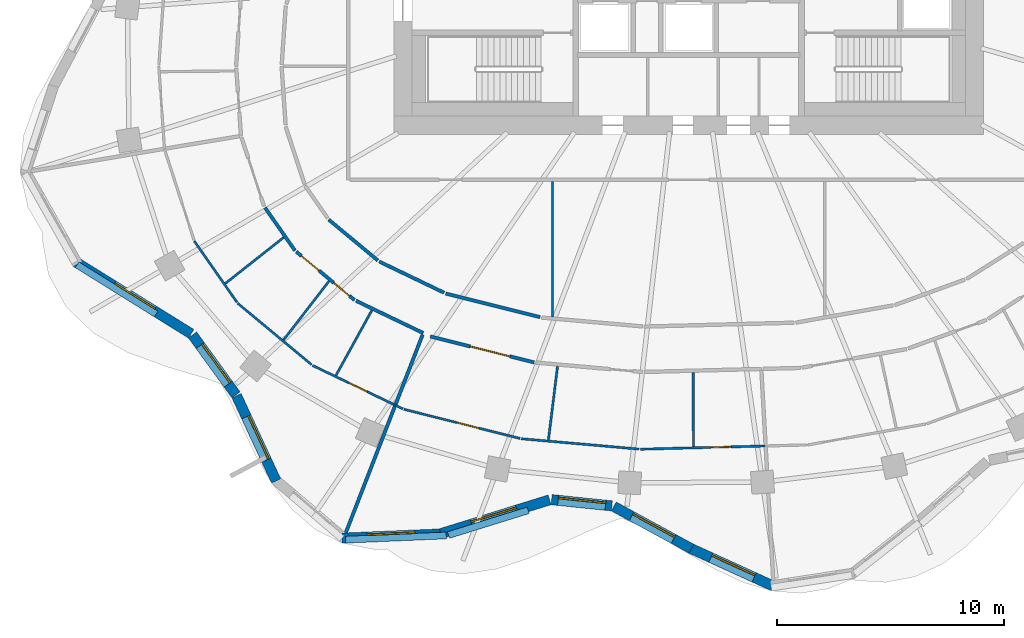
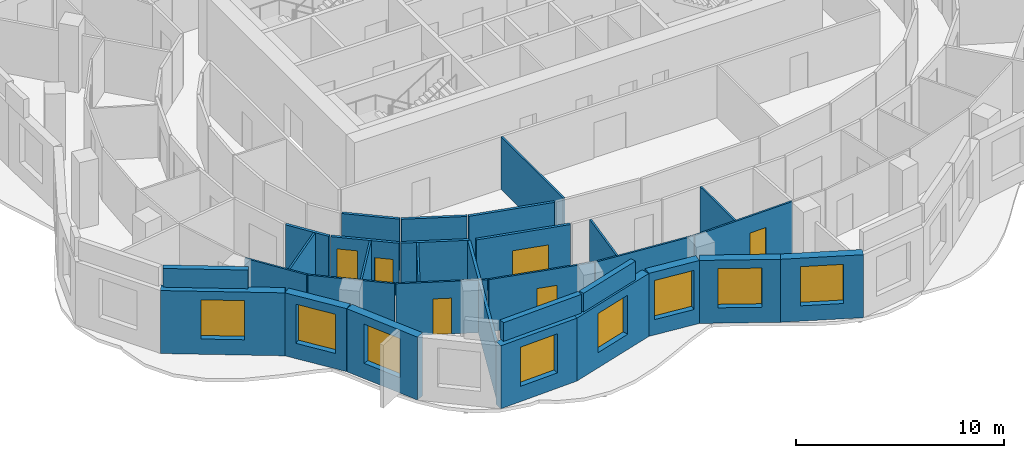
# One storey, part 3 of 12: 32 walls, 8 windows, 6 doors, 14 openings.
"""IFC4 building model written with IfcOpenShell, lengths in metres."""

from ifc_helpers import new_model, si_unit, direction, frame, frame_2d, origin, place, context, subcontext, project, spatial, rectangle, extrude, material, layer, layer_set, type_object, element, fill, save


model = new_model("IFC4")

# Units and contexts
model_context = context("Model", 3, precision=1e-05, world=origin(), true_north=direction((0.0, 1.0)))
body_context = subcontext(model_context, "Body", "Model", "MODEL_VIEW")
ifc_project = project(units=[si_unit("LENGTHUNIT", "METRE"), si_unit("AREAUNIT", "SQUARE_METRE"), si_unit("VOLUMEUNIT", "CUBIC_METRE"), si_unit("PLANEANGLEUNIT", "RADIAN"), si_unit("MASSUNIT", "GRAM", prefix="KILO")], contexts=[model_context])

# Site, building, storey
site_placement = place(None, origin())
site = spatial("IfcSite", under=ifc_project, at=site_placement, CompositionType="ELEMENT")
building_placement = place(site_placement, origin())
building = spatial("IfcBuilding", under=site, at=building_placement, Name="Rubra Terraces Tower", CompositionType="ELEMENT")
storey_placement = place(building_placement, frame((0.0, 0.0, 201.300048828125)))
storey = spatial("IfcBuildingStorey", under=building, at=storey_placement, Name="L49", CompositionType="ELEMENT", Elevation=201.300048828125)

# Wall, opening, window
ifc_material_1 = material(Name="Brick masonry red-brown", Category="masonry")
ifc_layer_1 = layer(ifc_material_1, 0.449951171875)
ifc_layer_set_1 = layer_set([ifc_layer_1], Name="Brick masonry red-brown")
wall_type_1 = type_object("IfcWallType", Name="Brick facade wall 450", PredefinedType="SOLIDWALL", material=ifc_layer_set_1)
wall_1_placement = place(storey_placement, frame((-27.01611328125, -8.6259765625, 0.0), z_axis=(0.0, 0.0, 1.0), x_axis=(0.849198377377, -0.528073968172, 0.0)))
wall_1 = element("IfcWall", 1, at=wall_1_placement, inside=storey, type_object=wall_type_1, Name="Facade wall L49 bay 23", PredefinedType="SOLIDWALL", context=body_context, shape_type="SweptSolid", body=[
    extrude(rectangle(XDim=5.989501953125, YDim=0.449951171875, at=frame_2d((2.99462890625, 0.0))), origin(), (0.0, 0.0, 1.0), 3.699951171875),
])
opening_1_placement = place(wall_1_placement, frame((1.944580078125, 0.0, 0.89990234375)))
opening_1 = element("IfcOpeningElement", 2, at=opening_1_placement, cuts=wall_1, Name="Opening W1B", PredefinedType="OPENING", context=body_context, shape_type="SweptSolid", body=[
    extrude(rectangle(XDim=2.10009765625, YDim=2.300048828125, at=frame_2d((1.050048828125, 1.14990234375))), frame((0.0, 0.23486328125, 0.0), z_axis=(0.0, -1.0, 0.0), x_axis=(1.0, 0.0, 0.0)), (0.0, 0.0, 1.0), 0.469970703125),
])
ifc_material_2 = material(Name="Clear glass in aluminium frame", Category="aluminium")
window_type = type_object("IfcWindowType", Name="Fixed deep-set window tall storey 2100 x 2300", PartitioningType="SINGLE_PANEL", PredefinedType="WINDOW", material=ifc_material_2)
window_1_placement = place(opening_1_placement, origin())
window_1 = element("IfcWindow", 3, at=window_1_placement, inside=storey, type_object=window_type, Name="Window L49 bay 23", OverallHeight=2.300048828125, OverallWidth=2.10009765625, PartitioningType="SINGLE_PANEL", PredefinedType="WINDOW", context=body_context, shape_type="SweptSolid", body=[
    extrude(rectangle(XDim=2.10009765625, YDim=2.300048828125, at=frame_2d((1.050048828125, 1.14990234375))), frame((0.0, 0.135009765625, 0.0), z_axis=(0.0, -1.0, 0.0), x_axis=(1.0, 0.0, 0.0)), (0.0, 0.0, 1.0), 0.06005859375),
])
fill(opening_1, window_1)

wall_2_placement = place(storey_placement, frame((-21.872314453125, -11.840576171875, 0.0), z_axis=(0.0, 0.0, 1.0), x_axis=(0.587562050363, -0.809179113036, 0.0)))
wall_2 = element("IfcWall", 4, at=wall_2_placement, inside=storey, type_object=wall_type_1, Name="Facade wall L49 bay 24", PredefinedType="SOLIDWALL", context=body_context, shape_type="SweptSolid", body=[
    extrude(rectangle(XDim=3.262939453125, YDim=0.449951171875, at=frame_2d((1.63134765625, 0.0))), origin(), (0.0, 0.0, 1.0), 3.699951171875),
])
opening_2_placement = place(wall_2_placement, frame((0.58154296875, 0.0, 0.89990234375)))
opening_2 = element("IfcOpeningElement", 5, at=opening_2_placement, cuts=wall_2, Name="Opening W1B", PredefinedType="OPENING", context=body_context, shape_type="SweptSolid", body=[
    extrude(rectangle(XDim=2.10009765625, YDim=2.300048828125, at=frame_2d((1.050048828125, 1.14990234375))), frame((0.0, 0.23486328125, 0.0), z_axis=(0.0, -1.0, 0.0), x_axis=(1.0, 0.0, 0.0)), (0.0, 0.0, 1.0), 0.469970703125),
])
window_2_placement = place(opening_2_placement, origin())
window_2 = element("IfcWindow", 6, at=window_2_placement, inside=storey, type_object=window_type, Name="Window L49 bay 24", OverallHeight=2.300048828125, OverallWidth=2.10009765625, PartitioningType="SINGLE_PANEL", PredefinedType="WINDOW", context=body_context, shape_type="SweptSolid", body=[
    extrude(rectangle(XDim=2.10009765625, YDim=2.300048828125, at=frame_2d((1.050048828125, 1.14990234375))), frame((0.0, 0.135009765625, 0.0), z_axis=(0.0, -1.0, 0.0), x_axis=(1.0, 0.0, 0.0)), (0.0, 0.0, 1.0), 0.06005859375),
])
fill(opening_2, window_2)

wall_3_placement = place(storey_placement, frame((-19.9306640625, -14.519287109375, 0.0), z_axis=(0.0, 0.0, 1.0), x_axis=(0.421138964136, -0.906996126169, 0.0)))
wall_3 = element("IfcWall", 7, at=wall_3_placement, inside=storey, type_object=wall_type_1, Name="Facade wall L49 bay 25", PredefinedType="SOLIDWALL", context=body_context, shape_type="SweptSolid", body=[
    extrude(rectangle(XDim=4.149658203125, YDim=0.449951171875, at=frame_2d((2.07470703125, 0.0))), origin(), (0.0, 0.0, 1.0), 3.699951171875),
])
opening_3_placement = place(wall_3_placement, frame((1.02490234375, 0.0, 0.89990234375)))
opening_3 = element("IfcOpeningElement", 8, at=opening_3_placement, cuts=wall_3, Name="Opening W1B", PredefinedType="OPENING", context=body_context, shape_type="SweptSolid", body=[
    extrude(rectangle(XDim=2.10009765625, YDim=2.300048828125, at=frame_2d((1.050048828125, 1.14990234375))), frame((0.0, 0.23486328125, 0.0), z_axis=(0.0, -1.0, 0.0), x_axis=(1.0, 0.0, 0.0)), (0.0, 0.0, 1.0), 0.469970703125),
])
window_3_placement = place(opening_3_placement, origin())
window_3 = element("IfcWindow", 9, at=window_3_placement, inside=storey, type_object=window_type, Name="Window L49 bay 25", OverallHeight=2.300048828125, OverallWidth=2.10009765625, PartitioningType="SINGLE_PANEL", PredefinedType="WINDOW", context=body_context, shape_type="SweptSolid", body=[
    extrude(rectangle(XDim=2.10009765625, YDim=2.300048828125, at=frame_2d((1.050048828125, 1.14990234375))), frame((0.0, 0.135009765625, 0.0), z_axis=(0.0, -1.0, 0.0), x_axis=(1.0, 0.0, 0.0)), (0.0, 0.0, 1.0), 0.06005859375),
])
fill(opening_3, window_3)

wall_4_placement = place(storey_placement, frame((-15.283447265625, -20.798095703125, 0.0), z_axis=(0.0, 0.0, 1.0), x_axis=(0.999108814386, 0.042208731526, 0.0)))
wall_4 = element("IfcWall", 10, at=wall_4_placement, inside=storey, type_object=wall_type_1, Name="Facade wall L49 bay 27", PredefinedType="SOLIDWALL", context=body_context, shape_type="SweptSolid", body=[
    extrude(rectangle(XDim=4.338134765625, YDim=0.449951171875, at=frame_2d((2.1689453125, 0.0))), origin(), (0.0, 0.0, 1.0), 3.699951171875),
])
opening_4_placement = place(wall_4_placement, frame((1.119140625, 0.0, 0.89990234375)))
opening_4 = element("IfcOpeningElement", 11, at=opening_4_placement, cuts=wall_4, Name="Opening W1B", PredefinedType="OPENING", context=body_context, shape_type="SweptSolid", body=[
    extrude(rectangle(XDim=2.10009765625, YDim=2.300048828125, at=frame_2d((1.050048828125, 1.14990234375))), frame((0.0, 0.23486328125, 0.0), z_axis=(0.0, -1.0, 0.0), x_axis=(1.0, 0.0, 0.0)), (0.0, 0.0, 1.0), 0.469970703125),
])
window_4_placement = place(opening_4_placement, origin())
window_4 = element("IfcWindow", 12, at=window_4_placement, inside=storey, type_object=window_type, Name="Window L49 bay 27", OverallHeight=2.300048828125, OverallWidth=2.10009765625, PartitioningType="SINGLE_PANEL", PredefinedType="WINDOW", context=body_context, shape_type="SweptSolid", body=[
    extrude(rectangle(XDim=2.10009765625, YDim=2.300048828125, at=frame_2d((1.050048828125, 1.14990234375))), frame((0.0, 0.135009765625, 0.0), z_axis=(0.0, -1.0, 0.0), x_axis=(1.0, 0.0, 0.0)), (0.0, 0.0, 1.0), 0.06005859375),
])
fill(opening_4, window_4)

wall_5_placement = place(storey_placement, frame((-11.006591796875, -20.625, 0.0), z_axis=(0.0, 0.0, 1.0), x_axis=(0.954949254112, 0.296769139352, 0.0)))
wall_5 = element("IfcWall", 13, at=wall_5_placement, inside=storey, type_object=wall_type_1, Name="Facade wall L49 bay 28", PredefinedType="SOLIDWALL", context=body_context, shape_type="SweptSolid", body=[
    extrude(rectangle(XDim=5.106201171875, YDim=0.449951171875, at=frame_2d((2.55322265625, 0.0))), origin(), (0.0, 0.0, 1.0), 3.699951171875),
])
opening_5_placement = place(wall_5_placement, frame((1.503173828125, 0.0, 0.89990234375)))
opening_5 = element("IfcOpeningElement", 14, at=opening_5_placement, cuts=wall_5, Name="Opening W1B", PredefinedType="OPENING", context=body_context, shape_type="SweptSolid", body=[
    extrude(rectangle(XDim=2.10009765625, YDim=2.300048828125, at=frame_2d((1.050048828125, 1.14990234375))), frame((0.0, 0.23486328125, 0.0), z_axis=(0.0, -1.0, 0.0), x_axis=(1.0, 0.0, 0.0)), (0.0, 0.0, 1.0), 0.469970703125),
])
window_5_placement = place(opening_5_placement, origin())
window_5 = element("IfcWindow", 15, at=window_5_placement, inside=storey, type_object=window_type, Name="Window L49 bay 28", OverallHeight=2.300048828125, OverallWidth=2.10009765625, PartitioningType="SINGLE_PANEL", PredefinedType="WINDOW", context=body_context, shape_type="SweptSolid", body=[
    extrude(rectangle(XDim=2.10009765625, YDim=2.300048828125, at=frame_2d((1.050048828125, 1.14990234375))), frame((0.0, 0.135009765625, 0.0), z_axis=(0.0, -1.0, 0.0), x_axis=(1.0, 0.0, 0.0)), (0.0, 0.0, 1.0), 0.06005859375),
])
fill(opening_5, window_5)

wall_6_placement = place(storey_placement, frame((-6.040283203125, -19.1005859375, 0.0), z_axis=(0.0, 0.0, 1.0), x_axis=(0.994675968472, -0.103052014752, 0.0)))
wall_6 = element("IfcWall", 16, at=wall_6_placement, inside=storey, type_object=wall_type_1, Name="Facade wall L49 bay 29", PredefinedType="SOLIDWALL", context=body_context, shape_type="SweptSolid", body=[
    extrude(rectangle(XDim=2.669921875, YDim=0.449951171875, at=frame_2d((1.3349609375, 0.0))), origin(), (0.0, 0.0, 1.0), 3.699951171875),
])
opening_6_placement = place(wall_6_placement, frame((0.284912109375, 0.0, 0.89990234375)))
opening_6 = element("IfcOpeningElement", 17, at=opening_6_placement, cuts=wall_6, Name="Opening W1B", PredefinedType="OPENING", context=body_context, shape_type="SweptSolid", body=[
    extrude(rectangle(XDim=2.10009765625, YDim=2.300048828125, at=frame_2d((1.050048828125, 1.14990234375))), frame((0.0, 0.23486328125, 0.0), z_axis=(0.0, -1.0, 0.0), x_axis=(1.0, 0.0, 0.0)), (0.0, 0.0, 1.0), 0.469970703125),
])
window_6_placement = place(opening_6_placement, origin())
window_6 = element("IfcWindow", 18, at=window_6_placement, inside=storey, type_object=window_type, Name="Window L49 bay 29", OverallHeight=2.300048828125, OverallWidth=2.10009765625, PartitioningType="SINGLE_PANEL", PredefinedType="WINDOW", context=body_context, shape_type="SweptSolid", body=[
    extrude(rectangle(XDim=2.10009765625, YDim=2.300048828125, at=frame_2d((1.050048828125, 1.14990234375))), frame((0.0, 0.135009765625, 0.0), z_axis=(0.0, -1.0, 0.0), x_axis=(1.0, 0.0, 0.0)), (0.0, 0.0, 1.0), 0.06005859375),
])
fill(opening_6, window_6)

wall_7_placement = place(storey_placement, frame((-3.302001953125, -19.40087890625, 0.0), z_axis=(0.0, 0.0, 1.0), x_axis=(0.878060540763, -0.47854956562, 0.0)))
wall_7 = element("IfcWall", 19, at=wall_7_placement, inside=storey, type_object=wall_type_1, Name="Facade wall L49 bay 30", PredefinedType="SOLIDWALL", context=body_context, shape_type="SweptSolid", body=[
    extrude(rectangle(XDim=3.9013671875, YDim=0.449951171875, at=frame_2d((1.95068359375, 0.0))), origin(), (0.0, 0.0, 1.0), 3.699951171875),
])
opening_7_placement = place(wall_7_placement, frame((0.900634765625, 0.0, 0.89990234375)))
opening_7 = element("IfcOpeningElement", 20, at=opening_7_placement, cuts=wall_7, Name="Opening W1B", PredefinedType="OPENING", context=body_context, shape_type="SweptSolid", body=[
    extrude(rectangle(XDim=2.10009765625, YDim=2.300048828125, at=frame_2d((1.050048828125, 1.14990234375))), frame((0.0, 0.23486328125, 0.0), z_axis=(0.0, -1.0, 0.0), x_axis=(1.0, 0.0, 0.0)), (0.0, 0.0, 1.0), 0.469970703125),
])
window_7_placement = place(opening_7_placement, origin())
window_7 = element("IfcWindow", 21, at=window_7_placement, inside=storey, type_object=window_type, Name="Window L49 bay 30", OverallHeight=2.300048828125, OverallWidth=2.10009765625, PartitioningType="SINGLE_PANEL", PredefinedType="WINDOW", context=body_context, shape_type="SweptSolid", body=[
    extrude(rectangle(XDim=2.10009765625, YDim=2.300048828125, at=frame_2d((1.050048828125, 1.14990234375))), frame((0.0, 0.135009765625, 0.0), z_axis=(0.0, -1.0, 0.0), x_axis=(1.0, 0.0, 0.0)), (0.0, 0.0, 1.0), 0.06005859375),
])
fill(opening_7, window_7)

wall_8_placement = place(storey_placement, frame((0.109130859375, -21.260986328125, 0.0), z_axis=(0.0, 0.0, 1.0), x_axis=(0.910040573706, -0.414519184367, 0.0)))
wall_8 = element("IfcWall", 22, at=wall_8_placement, inside=storey, type_object=wall_type_1, Name="Facade wall L49 bay 31", PredefinedType="SOLIDWALL", context=body_context, shape_type="SweptSolid", body=[
    extrude(rectangle(XDim=4.005615234375, YDim=0.449951171875, at=frame_2d((2.0029296875, 0.0))), origin(), (0.0, 0.0, 1.0), 3.699951171875),
])
opening_8_placement = place(wall_8_placement, frame((0.952880859375, 0.0, 0.89990234375)))
opening_8 = element("IfcOpeningElement", 23, at=opening_8_placement, cuts=wall_8, Name="Opening W1B", PredefinedType="OPENING", context=body_context, shape_type="SweptSolid", body=[
    extrude(rectangle(XDim=2.10009765625, YDim=2.300048828125, at=frame_2d((1.050048828125, 1.14990234375))), frame((0.0, 0.23486328125, 0.0), z_axis=(0.0, -1.0, 0.0), x_axis=(1.0, 0.0, 0.0)), (0.0, 0.0, 1.0), 0.469970703125),
])
window_8_placement = place(opening_8_placement, origin())
window_8 = element("IfcWindow", 24, at=window_8_placement, inside=storey, type_object=window_type, Name="Window L49 bay 31", OverallHeight=2.300048828125, OverallWidth=2.10009765625, PartitioningType="SINGLE_PANEL", PredefinedType="WINDOW", context=body_context, shape_type="SweptSolid", body=[
    extrude(rectangle(XDim=2.10009765625, YDim=2.300048828125, at=frame_2d((1.050048828125, 1.14990234375))), frame((0.0, 0.135009765625, 0.0), z_axis=(0.0, -1.0, 0.0), x_axis=(1.0, 0.0, 0.0)), (0.0, 0.0, 1.0), 0.06005859375),
])
fill(opening_8, window_8)

# Walls
ifc_layer_2 = layer(ifc_material_1, 0.300048828125)
ifc_layer_set_2 = layer_set([ifc_layer_2], Name="Brick masonry red-brown")
wall_type_2 = type_object("IfcWallType", Name="Brick parapet 300", PredefinedType="PARAPET", material=ifc_layer_set_2)
wall_9_placement = place(storey_placement, frame((-26.965087890625, -8.74609375, 3.89990234375), z_axis=(0.0, 0.0, 1.0), x_axis=(0.849203312007, -0.528066032686, 0.0)))
element("IfcWall", 25, at=wall_9_placement, inside=storey, type_object=wall_type_2, Name="Parapet L49 bay 23", PredefinedType="PARAPET", context=body_context, shape_type="SweptSolid", body=[
    extrude(rectangle(XDim=4.11279296875, YDim=0.300048828125, at=frame_2d((2.056396484375, 0.0))), origin(), (0.0, 0.0, 1.0), 1.10009765625),
])
wall_10_placement = place(storey_placement, frame((-15.133056640625, -20.866943359375, 3.89990234375), z_axis=(0.0, 0.0, 1.0), x_axis=(0.999109914186, 0.042182690458, 0.0)))
element("IfcWall", 26, at=wall_10_placement, inside=storey, type_object=wall_type_2, Name="Parapet L49 bay 27", PredefinedType="PARAPET", context=body_context, shape_type="SweptSolid", body=[
    extrude(rectangle(XDim=4.45068359375, YDim=0.300048828125, at=frame_2d((2.225341796875, 0.0))), origin(), (0.0, 0.0, 1.0), 1.10009765625),
])
wall_11_placement = place(storey_placement, frame((-10.589599609375, -20.662353515625, 3.89990234375), z_axis=(0.0, 0.0, 1.0), x_axis=(0.954933257017, 0.296820610207, 0.0)))
element("IfcWall", 27, at=wall_11_placement, inside=storey, type_object=wall_type_2, Name="Parapet L49 bay 28", PredefinedType="PARAPET", context=body_context, shape_type="SweptSolid", body=[
    extrude(rectangle(XDim=3.6806640625, YDim=0.300048828125, at=frame_2d((1.84033203125, 0.0))), origin(), (0.0, 0.0, 1.0), 1.10009765625),
])
ifc_material_3 = material(Name="Plasterboard on steel stud, mineral wool infill", Category="steel")
ifc_layer_3 = layer(ifc_material_3, 0.14990234375)
ifc_layer_set_3 = layer_set([ifc_layer_3], Name="Plasterboard on steel stud, mineral wool infill")
wall_type_3 = type_object("IfcWallType", Name="CORRIDOR PARTITION 150", PredefinedType="PARTITIONING", material=ifc_layer_set_3)
wall_12_placement = place(storey_placement, frame((-18.673828125, -6.231689453125, 0.0), z_axis=(0.0, 0.0, 1.0), x_axis=(0.572118665737, -0.820170855563, 0.0)))
element("IfcWall", 28, at=wall_12_placement, inside=storey, type_object=wall_type_3, Name="PARTITION", PredefinedType="PARTITIONING", context=body_context, shape_type="SweptSolid", body=[
    extrude(rectangle(XDim=2.30615234375, YDim=0.14990234375, at=frame_2d((1.153076171875, 0.0))), origin(), (0.0, 0.0, 1.0), 3.083984375),
])

# Wall, openings, doors
wall_13_placement = place(storey_placement, frame((-17.296875, -8.1708984375, 0.0), z_axis=(0.0, 0.0, 1.0), x_axis=(0.769228575061, -0.638973707839, 0.0)))
wall_13 = element("IfcWall", 29, at=wall_13_placement, inside=storey, type_object=wall_type_3, Name="PARTITION", PredefinedType="PARTITIONING", context=body_context, shape_type="SweptSolid", body=[
    extrude(rectangle(XDim=3.33447265625, YDim=0.14990234375, at=frame_2d((1.667236328125, 0.0))), origin(), (0.0, 0.0, 1.0), 3.083984375),
])
opening_9_placement = place(wall_13_placement, frame((0.300048828125, 0.0, 0.0)))
opening_9 = element("IfcOpeningElement", 30, at=opening_9_placement, cuts=wall_13, Name="Opening 49-118", PredefinedType="OPENING", context=body_context, shape_type="SweptSolid", body=[
    extrude(rectangle(XDim=1.0, YDim=2.39990234375, at=frame_2d((0.5, 1.199951171875))), frame((0.0, 0.0849609375, 0.0), z_axis=(0.0, -1.0, 0.0), x_axis=(1.0, 0.0, 0.0)), (0.0, 0.0, 1.0), 0.169921875),
])
opening_10_placement = place(wall_13_placement, frame((2.14990234375, 0.0, 0.0)))
opening_10 = element("IfcOpeningElement", 31, at=opening_10_placement, cuts=wall_13, Name="Opening 49-145", PredefinedType="OPENING", context=body_context, shape_type="SweptSolid", body=[
    extrude(rectangle(XDim=0.89990234375, YDim=2.10009765625, at=frame_2d((0.449951171875, 1.050048828125))), frame((0.0, 0.0849609375, 0.0), z_axis=(0.0, -1.0, 0.0), x_axis=(1.0, 0.0, 0.0)), (0.0, 0.0, 1.0), 0.169921875),
])
ifc_material_4 = material(Name="Painted timber door leaf", Category="wood")
door_type_1 = type_object("IfcDoorType", Name="BATHROOM DOOR 900 X 2100", OperationType="SINGLE_SWING_LEFT", PredefinedType="DOOR", material=ifc_material_4)
door_1_placement = place(opening_10_placement, origin())
door_1 = element("IfcDoor", 32, at=door_1_placement, inside=storey, type_object=door_type_1, Name="DOOR 49-145", OperationType="SINGLE_SWING_RIGHT", OverallHeight=2.10009765625, OverallWidth=0.89990234375, PredefinedType="DOOR", context=body_context, shape_type="SweptSolid", body=[
    extrude(rectangle(XDim=0.89990234375, YDim=2.10009765625, at=frame_2d((0.449951171875, 1.050048828125))), frame((0.0, 0.02490234375, 0.0), z_axis=(0.0, -1.0, 0.0), x_axis=(1.0, 0.0, 0.0)), (0.0, 0.0, 1.0), 0.050048828125),
])
fill(opening_10, door_1)
ifc_material_5 = material(Name="Glazed aluminium meeting door leaf", Category="aluminium")
door_type_2 = type_object("IfcDoorType", Name="MEETING ROOM GLAZED DOOR 1000 X 2400", OperationType="SINGLE_SWING_LEFT", PredefinedType="DOOR", material=ifc_material_5)
door_2_placement = place(opening_9_placement, origin())
door_2 = element("IfcDoor", 33, at=door_2_placement, inside=storey, type_object=door_type_2, Name="DOOR 49-118", OperationType="SINGLE_SWING_RIGHT", OverallHeight=2.39990234375, OverallWidth=1.0, PredefinedType="DOOR", context=body_context, shape_type="SweptSolid", body=[
    extrude(rectangle(XDim=1.0, YDim=2.39990234375, at=frame_2d((0.5, 1.199951171875))), frame((0.0, 0.02490234375, 0.0), z_axis=(0.0, -1.0, 0.0), x_axis=(1.0, 0.0, 0.0)), (0.0, 0.0, 1.0), 0.050048828125),
])
fill(opening_9, door_2)

# Wall
wall_14_placement = place(storey_placement, frame((-14.664306640625, -10.333984375, 0.0), z_axis=(0.0, 0.0, 1.0), x_axis=(0.901511473943, -0.432755199101, 0.0)))
element("IfcWall", 34, at=wall_14_placement, inside=storey, type_object=wall_type_3, Name="PARTITION", PredefinedType="PARTITIONING", context=body_context, shape_type="SweptSolid", body=[
    extrude(rectangle(XDim=3.2890625, YDim=0.14990234375, at=frame_2d((1.64453125, 0.0))), origin(), (0.0, 0.0, 1.0), 3.083984375),
])

# Wall, opening, door
wall_15_placement = place(storey_placement, frame((-11.3916015625, -11.905029296875, 0.0), z_axis=(0.0, 0.0, 1.0), x_axis=(0.970002383823, -0.243095403859, 0.0)))
wall_15 = element("IfcWall", 35, at=wall_15_placement, inside=storey, type_object=wall_type_3, Name="PARTITION", PredefinedType="PARTITIONING", context=body_context, shape_type="SweptSolid", body=[
    extrude(rectangle(XDim=4.72021484375, YDim=0.14990234375, at=frame_2d((2.360107421875, 0.0))), origin(), (0.0, 0.0, 1.0), 3.083984375),
])
opening_11_placement = place(wall_15_placement, frame((1.81201171875, 0.0, 0.0)))
opening_11 = element("IfcOpeningElement", 36, at=opening_11_placement, cuts=wall_15, Name="Opening 49-120", PredefinedType="OPENING", context=body_context, shape_type="SweptSolid", body=[
    extrude(rectangle(XDim=1.800048828125, YDim=2.10009765625, at=frame_2d((0.89990234375, 1.050048828125))), frame((0.0, 0.0849609375, 0.0), z_axis=(0.0, -1.0, 0.0), x_axis=(1.0, 0.0, 0.0)), (0.0, 0.0, 1.0), 0.169921875),
])
ifc_material_6 = material(Name="Painted timber door leaf, double", Category="wood")
door_type_3 = type_object("IfcDoorType", Name="ROOM DOUBLE DOOR 1800 X 2100", OperationType="DOUBLE_DOOR_SINGLE_SWING", PredefinedType="DOOR", material=ifc_material_6)
door_3_placement = place(opening_11_placement, origin())
door_3 = element("IfcDoor", 37, at=door_3_placement, inside=storey, type_object=door_type_3, Name="DOOR 49-120", OperationType="DOUBLE_DOOR_SINGLE_SWING", OverallHeight=2.10009765625, OverallWidth=1.800048828125, PredefinedType="DOOR", context=body_context, shape_type="SweptSolid", body=[
    extrude(rectangle(XDim=1.800048828125, YDim=2.10009765625, at=frame_2d((0.89990234375, 1.050048828125))), frame((0.0, 0.02490234375, 0.0), z_axis=(0.0, -1.0, 0.0), x_axis=(1.0, 0.0, 0.0)), (0.0, 0.0, 1.0), 0.050048828125),
])
fill(opening_11, door_3)

# Walls
wall_16_placement = place(storey_placement, frame((-6.552734375, -11.055908203125, 0.0), z_axis=(0.0, 0.0, 1.0), x_axis=(-0.970004917182, 0.243085294995, 0.0)))
element("IfcWall", 38, at=wall_16_placement, inside=storey, type_object=wall_type_3, Name="PARTITION", PredefinedType="PARTITIONING", context=body_context, shape_type="SweptSolid", body=[
    extrude(rectangle(XDim=4.284423828125, YDim=0.14990234375, at=frame_2d((2.14208984375, 0.0))), origin(), (0.0, 0.0, 1.0), 3.083984375),
])
wall_17_placement = place(storey_placement, frame((-10.7763671875, -9.981689453125, 0.0), z_axis=(0.0, 0.0, 1.0), x_axis=(-0.901511079436, 0.432756020933, 0.0)))
element("IfcWall", 39, at=wall_17_placement, inside=storey, type_object=wall_type_3, Name="PARTITION", PredefinedType="PARTITIONING", context=body_context, shape_type="SweptSolid", body=[
    extrude(rectangle(XDim=3.1806640625, YDim=0.14990234375, at=frame_2d((1.59033203125, 0.0))), origin(), (0.0, 0.0, 1.0), 3.083984375),
])
wall_18_placement = place(storey_placement, frame((-13.70166015625, -8.557373046875, 0.0), z_axis=(0.0, 0.0, 1.0), x_axis=(-0.769221825067, 0.638981833733, 0.0)))
element("IfcWall", 40, at=wall_18_placement, inside=storey, type_object=wall_type_3, Name="PARTITION", PredefinedType="PARTITIONING", context=body_context, shape_type="SweptSolid", body=[
    extrude(rectangle(XDim=2.8173828125, YDim=0.14990234375, at=frame_2d((1.40869140625, 0.0))), origin(), (0.0, 0.0, 1.0), 3.083984375),
])

# Wall, opening, door
ifc_material_7 = material(Name="Plasterboard on steel stud", Category="steel")
ifc_layer_4 = layer(ifc_material_7, 0.10009765625)
ifc_layer_set_4 = layer_set([ifc_layer_4], Name="Plasterboard on steel stud")
wall_type_4 = type_object("IfcWallType", Name="ROOM PARTITION 100", PredefinedType="PARTITIONING", material=ifc_layer_set_4)
wall_19_placement = place(storey_placement, frame((-12.950927734375, -14.927978515625, 0.0), z_axis=(0.0, 0.0, 1.0), x_axis=(-0.901512652017, 0.43275274494, 0.0)))
wall_19 = element("IfcWall", 41, at=wall_19_placement, inside=storey, type_object=wall_type_4, Name="PARTITION", PredefinedType="PARTITIONING", context=body_context, shape_type="SweptSolid", body=[
    extrude(rectangle(XDim=4.027587890625, YDim=0.10009765625, at=frame_2d((2.013671875, 0.0))), origin(), (0.0, 0.0, 1.0), 3.083984375),
])
opening_12_placement = place(wall_19_placement, frame((1.35009765625, 0.0, 0.0)))
opening_12 = element("IfcOpeningElement", 42, at=opening_12_placement, cuts=wall_19, Name="Opening 49-119", PredefinedType="OPENING", context=body_context, shape_type="SweptSolid", body=[
    extrude(rectangle(XDim=0.89990234375, YDim=2.10009765625, at=frame_2d((0.449951171875, 1.050048828125))), frame((0.0, 0.06005859375, 0.0), z_axis=(0.0, -1.0, 0.0), x_axis=(1.0, 0.0, 0.0)), (0.0, 0.0, 1.0), 0.1201171875),
])
door_type_4 = type_object("IfcDoorType", Name="ROOM DOOR 900 X 2100", OperationType="SINGLE_SWING_LEFT", PredefinedType="DOOR", material=ifc_material_4)
door_4_placement = place(opening_12_placement, origin())
door_4 = element("IfcDoor", 43, at=door_4_placement, inside=storey, type_object=door_type_4, Name="DOOR 49-119", OperationType="SINGLE_SWING_LEFT", OverallHeight=2.10009765625, OverallWidth=0.89990234375, PredefinedType="DOOR", context=body_context, shape_type="SweptSolid", body=[
    extrude(rectangle(XDim=0.89990234375, YDim=2.10009765625, at=frame_2d((0.449951171875, 1.050048828125))), frame((0.0, 0.02490234375, 0.0), z_axis=(0.0, -1.0, 0.0), x_axis=(1.0, 0.0, 0.0)), (0.0, 0.0, 1.0), 0.050048828125),
])
fill(opening_12, door_4)

# Walls
wall_20_placement = place(storey_placement, frame((-16.6201171875, -13.153076171875, 0.0), z_axis=(0.0, 0.0, 1.0), x_axis=(-0.76922129881, 0.638982467253, 0.0)))
element("IfcWall", 44, at=wall_20_placement, inside=storey, type_object=wall_type_4, Name="PARTITION", PredefinedType="PARTITIONING", context=body_context, shape_type="SweptSolid", body=[
    extrude(rectangle(XDim=4.23828125, YDim=0.10009765625, at=frame_2d((2.119140625, 0.0))), origin(), (0.0, 0.0, 1.0), 3.083984375),
])
wall_21_placement = place(storey_placement, frame((-19.908935546875, -10.40380859375, 0.0), z_axis=(0.0, 0.0, 1.0), x_axis=(-0.572111951901, 0.820175538828, 0.0)))
element("IfcWall", 45, at=wall_21_placement, inside=storey, type_object=wall_type_4, Name="PARTITION", PredefinedType="PARTITIONING", context=body_context, shape_type="SweptSolid", body=[
    extrude(rectangle(XDim=3.2900390625, YDim=0.10009765625, at=frame_2d((1.64501953125, 0.0))), origin(), (0.0, 0.0, 1.0), 3.083984375),
])
wall_22_placement = place(storey_placement, frame((-17.851806640625, -7.541015625, 0.0), z_axis=(0.0, 0.0, 1.0), x_axis=(-0.784859909174, -0.61967323887, 0.0)))
element("IfcWall", 46, at=wall_22_placement, inside=storey, type_object=wall_type_4, Name="PARTITION", PredefinedType="PARTITIONING", context=body_context, shape_type="SweptSolid", body=[
    extrude(rectangle(XDim=3.281005859375, YDim=0.10009765625, at=frame_2d((1.640625, 0.0))), origin(), (0.0, 0.0, 1.0), 3.083984375),
])
wall_23_placement = place(storey_placement, frame((-15.853515625, -9.46728515625, 0.0), z_axis=(0.0, 0.0, 1.0), x_axis=(-0.611487785641, -0.791253870772, 0.0)))
element("IfcWall", 47, at=wall_23_placement, inside=storey, type_object=wall_type_4, Name="PARTITION", PredefinedType="PARTITIONING", context=body_context, shape_type="SweptSolid", body=[
    extrude(rectangle(XDim=3.277099609375, YDim=0.10009765625, at=frame_2d((1.638671875, 0.0))), origin(), (0.0, 0.0, 1.0), 3.083984375),
])
wall_24_placement = place(storey_placement, frame((-13.964599609375, -10.7529296875, 0.0), z_axis=(0.0, 0.0, 1.0), x_axis=(-0.48287271045, -0.875690553508, 0.0)))
element("IfcWall", 48, at=wall_24_placement, inside=storey, type_object=wall_type_4, Name="PARTITION", PredefinedType="PARTITIONING", context=body_context, shape_type="SweptSolid", body=[
    extrude(rectangle(XDim=3.2802734375, YDim=0.10009765625, at=frame_2d((1.64013671875, 0.0))), origin(), (0.0, 0.0, 1.0), 3.083984375),
])

# Wall, opening, door
wall_25_placement = place(storey_placement, frame((3.37255859375, -16.735595703125, 0.0), z_axis=(0.0, 0.0, 1.0), x_axis=(-0.99966581351, -0.025850750467, 0.0)))
wall_25 = element("IfcWall", 49, at=wall_25_placement, inside=storey, type_object=wall_type_4, Name="PARTITION", PredefinedType="PARTITIONING", context=body_context, shape_type="SweptSolid", body=[
    extrude(rectangle(XDim=5.506103515625, YDim=0.10009765625, at=frame_2d((2.7529296875, 0.0))), origin(), (0.0, 0.0, 1.0), 3.083984375),
])
opening_13_placement = place(wall_25_placement, frame((1.5, 0.0, 0.0)))
opening_13 = element("IfcOpeningElement", 50, at=opening_13_placement, cuts=wall_25, Name="Opening 49-123", PredefinedType="OPENING", context=body_context, shape_type="SweptSolid", body=[
    extrude(rectangle(XDim=0.89990234375, YDim=2.10009765625, at=frame_2d((0.449951171875, 1.050048828125))), frame((0.0, 0.06005859375, 0.0), z_axis=(0.0, -1.0, 0.0), x_axis=(1.0, 0.0, 0.0)), (0.0, 0.0, 1.0), 0.1201171875),
])
door_5_placement = place(opening_13_placement, origin())
door_5 = element("IfcDoor", 51, at=door_5_placement, inside=storey, type_object=door_type_4, Name="DOOR 49-123", OperationType="SINGLE_SWING_LEFT", OverallHeight=2.10009765625, OverallWidth=0.89990234375, PredefinedType="DOOR", context=body_context, shape_type="SweptSolid", body=[
    extrude(rectangle(XDim=0.89990234375, YDim=2.10009765625, at=frame_2d((0.449951171875, 1.050048828125))), frame((0.0, 0.02490234375, 0.0), z_axis=(0.0, -1.0, 0.0), x_axis=(1.0, 0.0, 0.0)), (0.0, 0.0, 1.0), 0.050048828125),
])
fill(opening_13, door_5)

# Wall
wall_26_placement = place(storey_placement, frame((-2.181396484375, -16.87353515625, 0.0), z_axis=(0.0, 0.0, 1.0), x_axis=(-0.996143934904, 0.087734035321, 0.0)))
element("IfcWall", 52, at=wall_26_placement, inside=storey, type_object=wall_type_4, Name="PARTITION", PredefinedType="PARTITIONING", context=body_context, shape_type="SweptSolid", body=[
    extrude(rectangle(XDim=5.217529296875, YDim=0.10009765625, at=frame_2d((2.60888671875, 0.0))), origin(), (0.0, 0.0, 1.0), 3.083984375),
])

# Wall, opening, door
wall_27_placement = place(storey_placement, frame((-7.427490234375, -16.403564453125, 0.0), z_axis=(0.0, 0.0, 1.0), x_axis=(-0.970009158253, 0.243068370845, 0.0)))
wall_27 = element("IfcWall", 53, at=wall_27_placement, inside=storey, type_object=wall_type_4, Name="PARTITION", PredefinedType="PARTITIONING", context=body_context, shape_type="SweptSolid", body=[
    extrude(rectangle(XDim=5.283203125, YDim=0.10009765625, at=frame_2d((2.6416015625, 0.0))), origin(), (0.0, 0.0, 1.0), 3.083984375),
])
opening_14_placement = place(wall_27_placement, frame((1.861083984375, 0.0, 0.0)))
opening_14 = element("IfcOpeningElement", 54, at=opening_14_placement, cuts=wall_27, Name="Opening 49-121", PredefinedType="OPENING", context=body_context, shape_type="SweptSolid", body=[
    extrude(rectangle(XDim=1.0, YDim=2.10009765625, at=frame_2d((0.5, 1.050048828125))), frame((0.0, 0.06005859375, 0.0), z_axis=(0.0, -1.0, 0.0), x_axis=(1.0, 0.0, 0.0)), (0.0, 0.0, 1.0), 0.1201171875),
])
door_type_5 = type_object("IfcDoorType", Name="ROOM DOOR 1000 X 2100", OperationType="SINGLE_SWING_LEFT", PredefinedType="DOOR", material=ifc_material_4)
door_6_placement = place(opening_14_placement, origin())
door_6 = element("IfcDoor", 55, at=door_6_placement, inside=storey, type_object=door_type_5, Name="DOOR 49-121", OperationType="SINGLE_SWING_LEFT", OverallHeight=2.10009765625, OverallWidth=1.0, PredefinedType="DOOR", context=body_context, shape_type="SweptSolid", body=[
    extrude(rectangle(XDim=1.0, YDim=2.10009765625, at=frame_2d((0.5, 1.050048828125))), frame((0.0, 0.02490234375, 0.0), z_axis=(0.0, -1.0, 0.0), x_axis=(1.0, 0.0, 0.0)), (0.0, 0.0, 1.0), 0.050048828125),
])
fill(opening_14, door_6)

# Walls
wall_28_placement = place(storey_placement, frame((-12.597412109375, -15.09765625, 0.0), z_axis=(0.0, 0.0, 1.0), x_axis=(-0.901523057468, 0.432731067585, 0.0)))
element("IfcWall", 56, at=wall_28_placement, inside=storey, type_object=wall_type_4, Name="PARTITION", PredefinedType="PARTITIONING", context=body_context, shape_type="SweptSolid", body=[
    extrude(rectangle(XDim=0.35205078125, YDim=0.10009765625, at=frame_2d((0.176025390625, 0.0))), origin(), (0.0, 0.0, 1.0), 3.083984375),
])
wall_29_placement = place(storey_placement, frame((-5.780029296875, -13.21875, 0.0), z_axis=(0.0, 0.0, 1.0), x_axis=(-0.122778425758, -0.992434107721, 0.0)))
element("IfcWall", 57, at=wall_29_placement, inside=storey, type_object=wall_type_4, Name="PARTITION", PredefinedType="PARTITIONING", context=body_context, shape_type="SweptSolid", body=[
    extrude(rectangle(XDim=3.277099609375, YDim=0.10009765625, at=frame_2d((1.638671875, 0.0))), origin(), (0.0, 0.0, 1.0), 3.083984375),
])
wall_30_placement = place(storey_placement, frame((0.201416015625, -13.491455078125, 0.0), z_axis=(0.0, 0.0, 1.0), x_axis=(0.002384849381, -0.999997156243, 0.0)))
element("IfcWall", 58, at=wall_30_placement, inside=storey, type_object=wall_type_4, Name="PARTITION", PredefinedType="PARTITIONING", context=body_context, shape_type="SweptSolid", body=[
    extrude(rectangle(XDim=3.27587890625, YDim=0.10009765625, at=frame_2d((1.637939453125, 0.0))), origin(), (0.0, 0.0, 1.0), 3.083984375),
])
wall_31_placement = place(storey_placement, frame((-6.0, -11.041259765625, 0.0), z_axis=(0.0, 0.0, 1.0), x_axis=(0.0, 1.0, 0.0)))
element("IfcWall", 59, at=wall_31_placement, inside=storey, type_object=wall_type_4, Name="PARTITION", PredefinedType="PARTITIONING", context=body_context, shape_type="SweptSolid", body=[
    extrude(rectangle(XDim=5.96630859375, YDim=0.10009765625, at=frame_2d((2.983154296875, 0.0))), origin(), (0.0, 0.0, 1.0), 3.083984375),
])
ifc_layer_5 = layer(ifc_material_7, 0.14990234375)
ifc_layer_set_5 = layer_set([ifc_layer_5], Name="Plasterboard on steel stud")
wall_type_5 = type_object("IfcWallType", Name="ROOM PARTITION 150", PredefinedType="PARTITIONING", material=ifc_layer_set_5)
wall_32_placement = place(storey_placement, frame((-15.115478515625, -20.56201171875, 0.0), z_axis=(0.0, 0.0, 1.0), x_axis=(0.361729399691, 0.932283133709, 0.0)))
element("IfcWall", 60, at=wall_32_placement, inside=storey, type_object=wall_type_5, Name="PARTITION", PredefinedType="PARTITIONING", context=body_context, shape_type="SweptSolid", body=[
    extrude(rectangle(XDim=9.369384765625, YDim=0.14990234375, at=frame_2d((4.6845703125, 0.0))), origin(), (0.0, 0.0, 1.0), 3.083984375),
])

save(model, "model.ifc")
